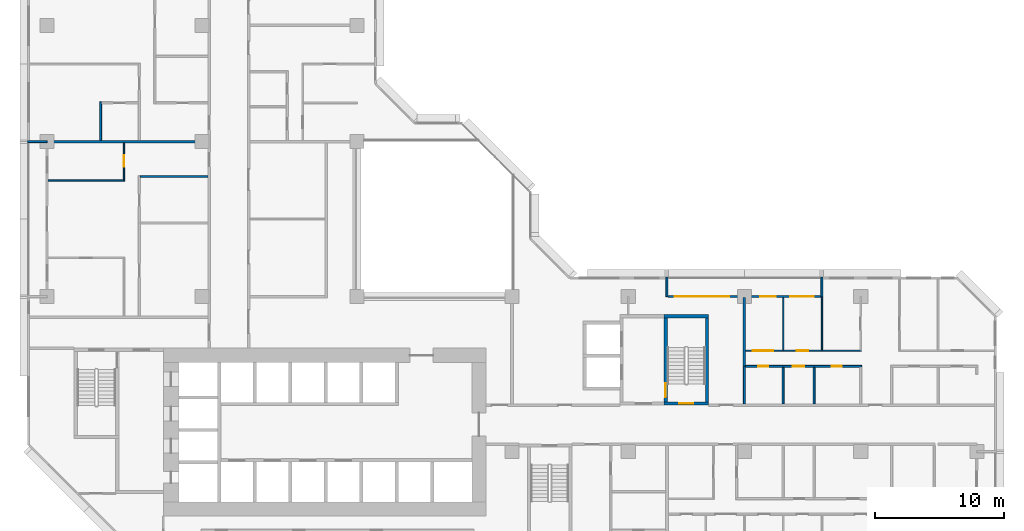
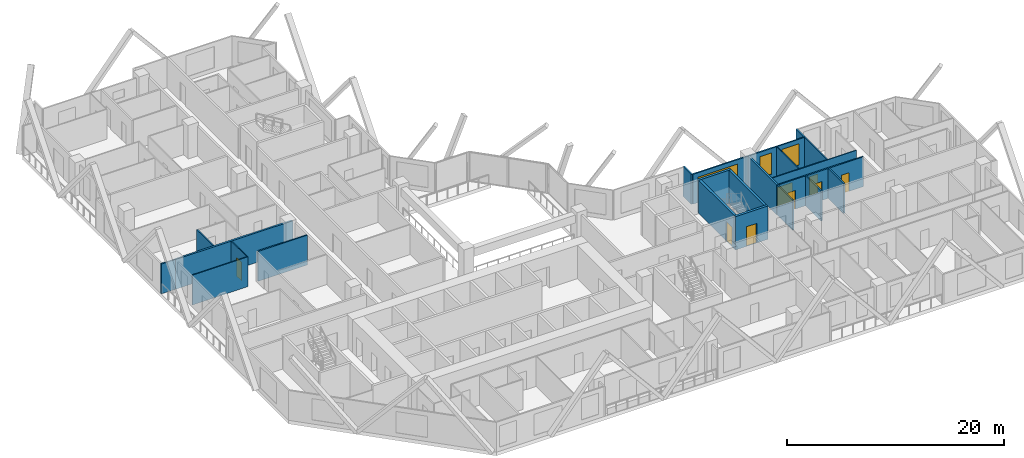
# One storey, part 8 of 16: 21 walls, 8 doors, 3 windows, 11 openings.
"""IFC4 building model written with IfcOpenShell, lengths in metres."""

import ifcopenshell
import ifcopenshell.guid

model = None  # the IFC model being written
_history = None  # IfcOwnerHistory: only IFC2X3 demands one
_inside = {}  # id of a spatial element -> (the spatial element, [elements in it])
_under = {}  # id of a project, library or spatial element -> (it, [spatial elements below it])
_declared = {}  # id of a project -> (the project, [libraries it declares])
_typed = {}  # id of a type object -> (the type object, [elements of that type])
_made_of = {}  # id of a material, layer set ... -> (it, [elements and type objects made of it])


def new_model(schema):
    """Start an empty IFC model of exactly this schema.

    Asked for "IFC4X3", IfcOpenShell would pick the latest addendum, in which some entities
    have other attributes; the version numbers below select the first issue.
    IFC2X3 requires an IfcOwnerHistory on every rooted entity: one is made here for all.
    """
    global model, _history
    if schema == "IFC4X3":
        model = ifcopenshell.file(schema_version=(4, 3, 0, 0))
    else:
        model = ifcopenshell.file(schema=schema)
    _inside.clear()
    _under.clear()
    _declared.clear()
    _typed.clear()
    _made_of.clear()
    _history = None
    if model.schema == "IFC2X3":
        org = make("IfcOrganization", Name="unknown")
        user = make(
            "IfcPersonAndOrganization",
            ThePerson=make("IfcPerson", FamilyName="unknown"),
            TheOrganization=org,
        )
        app = make(
            "IfcApplication",
            ApplicationDeveloper=org,
            Version="unknown",
            ApplicationFullName="unknown",
            ApplicationIdentifier="unknown",
        )
        _history = make(
            "IfcOwnerHistory",
            OwningUser=user,
            OwningApplication=app,
            ChangeAction="ADDED",
            CreationDate=0,
        )
    return model


def make(cls, **values):
    """One entity of the class cls with the attributes given. An attribute that is None is left unset."""
    return model.create_entity(
        cls, **{name: value for name, value in values.items() if value is not None}
    )


def rooted(cls, **values):
    """An entity with a GlobalId (a new one), such as an element, a storey or a relation."""
    return make(cls, GlobalId=ifcopenshell.guid.new(), OwnerHistory=_history, **values)


def si_unit(unit_type, name, prefix=None):
    """IfcSIUnit, for example si_unit("LENGTHUNIT", "METRE", prefix="MILLI")."""
    return make("IfcSIUnit", UnitType=unit_type, Prefix=prefix, Name=name)


def assignment(units):
    """IfcUnitAssignment: the units of a project."""
    return None if units is None else make("IfcUnitAssignment", Units=units)


def point(xyz):
    """IfcCartesianPoint."""
    return None if xyz is None else make("IfcCartesianPoint", Coordinates=xyz)


def direction(xyz):
    """IfcDirection."""
    return None if xyz is None else make("IfcDirection", DirectionRatios=xyz)


def frame(location, z_axis=None, x_axis=None):
    """IfcAxis2Placement3D, a coordinate frame: its origin and axes. An axis left out is left unset."""
    return make(
        "IfcAxis2Placement3D",
        Location=point(location),
        Axis=direction(z_axis),
        RefDirection=direction(x_axis),
    )


def frame_2d(location, x_axis=None):
    """IfcAxis2Placement2D, a coordinate frame in the plane: its origin and x axis."""
    return make(
        "IfcAxis2Placement2D", Location=point(location), RefDirection=direction(x_axis)
    )


def origin():
    """The frame at (0, 0, 0) with its axes left unset."""
    return frame((0.0, 0.0, 0.0))


def place(relative_to, where):
    """IfcLocalPlacement: puts the frame where relative to a parent placement (None: the world)."""
    return make(
        "IfcLocalPlacement", PlacementRelTo=relative_to, RelativePlacement=where
    )


def context(
    kind, dimensions, precision=None, world=None, true_north=None, identifier=None
):
    """IfcGeometricRepresentationContext, for example the 3D "Model" context."""
    return make(
        "IfcGeometricRepresentationContext",
        ContextIdentifier=identifier,
        ContextType=kind,
        CoordinateSpaceDimension=dimensions,
        Precision=precision,
        WorldCoordinateSystem=world,
        TrueNorth=true_north,
    )


def subcontext(parent, identifier, kind, view, scale=None):
    """IfcGeometricRepresentationSubContext, for example "Body" below "Model"."""
    return make(
        "IfcGeometricRepresentationSubContext",
        ContextIdentifier=identifier,
        ContextType=kind,
        ParentContext=parent,
        TargetScale=scale,
        TargetView=view,
    )


def project(units=None, contexts=None):
    """IfcProject with its units and contexts."""
    return rooted(
        "IfcProject",
        Name="project",
        RepresentationContexts=contexts,
        UnitsInContext=assignment(units),
    )


def spatial(cls, under=None, at=None, **own):
    """A site, building, storey or space (cls), placed at a placement, below another one or the project."""
    s = rooted(cls, ObjectPlacement=at, **own)
    if under is not None:
        _under.setdefault(under.id(), (under, []))[1].append(s)
    return s


def profile(cls, at=None, kind="AREA", **sizes):
    """A parametric profile (cls). Its sizes go by their IFC names, for example OverallWidth=200.0."""
    return make(cls, ProfileType=kind, Position=at, **sizes)


def rectangle(**sizes):
    """IfcRectangleProfileDef."""
    return profile("IfcRectangleProfileDef", **sizes)


def extrude(swept, where, along, depth):
    """IfcExtrudedAreaSolid: the profile swept, set in the frame where, extruded along a direction by depth."""
    return make(
        "IfcExtrudedAreaSolid",
        SweptArea=swept,
        Position=where,
        ExtrudedDirection=direction(along),
        Depth=depth,
    )


def shape(context_of_items, identifier, shape_type, items):
    """IfcShapeRepresentation: the items that make up one representation, for example the "Body"."""
    return make(
        "IfcShapeRepresentation",
        ContextOfItems=context_of_items,
        RepresentationIdentifier=identifier,
        RepresentationType=shape_type,
        Items=items,
    )


def material(Name=None, Category=None):
    """IfcMaterial."""
    return make("IfcMaterial", Name=Name, Category=Category)


def layer(
    of_material, thickness, ventilated=None, Name=None, Category=None, Priority=None
):
    """IfcMaterialLayer: one layer of a wall or slab, of a material (None: an air gap)."""
    return make(
        "IfcMaterialLayer",
        Material=of_material,
        LayerThickness=thickness,
        IsVentilated=ventilated,
        Name=Name,
        Category=Category,
        Priority=Priority,
    )


def layer_set(layers, Name=None):
    """IfcMaterialLayerSet."""
    return make("IfcMaterialLayerSet", MaterialLayers=layers, LayerSetName=Name)


def made_of(thing, what):
    """Note that an element or type object is made of a material, layer set ...; save() writes the relation."""
    if what is not None:
        _made_of.setdefault(what.id(), (what, []))[1].append(thing)
    return thing


def type_object(cls, material=None, **own):
    """A type object (cls), such as IfcWallType, which elements share."""
    return made_of(rooted(cls, **own), material)


def element(
    cls,
    number,
    at=None,
    inside=None,
    cuts=None,
    type_object=None,
    material=None,
    context=None,
    identifier="Body",
    shape_type=None,
    held_by="IfcProductDefinitionShape",
    body=None,
    shapes=None,
    **own,
):
    """One element of the class cls, such as IfcWall. Its Tag is "e" and its number.

    at: its placement. inside: the storey or other place that contains it. cuts: it is an
    opening in that element (IfcRelVoidsElement). A single representation is given by context,
    identifier, shape_type and body (its items); several are given by shapes. held_by: the class
    of the entity that holds the representations. save() writes the other relations.
    """
    e = rooted(cls, Tag="e%d" % number, ObjectPlacement=at, **own)
    if body is not None:
        shapes = [shape(context, identifier, shape_type, body)]
    if shapes is not None:
        e.Representation = make(held_by, Representations=shapes)
    if inside is not None:
        _inside.setdefault(inside.id(), (inside, []))[1].append(e)
    if cuts is not None:
        rooted(
            "IfcRelVoidsElement", RelatingBuildingElement=cuts, RelatedOpeningElement=e
        )
    if type_object is not None:
        _typed.setdefault(type_object.id(), (type_object, []))[1].append(e)
    return made_of(e, material)


def fill(opening, filler):
    """IfcRelFillsElement: the door or window that sits in an opening."""
    return rooted(
        "IfcRelFillsElement",
        RelatingOpeningElement=opening,
        RelatedBuildingElement=filler,
    )


def aggregate(whole, parts):
    """IfcRelAggregates: a whole, such as a stair, and the parts it consists of."""
    return rooted("IfcRelAggregates", RelatingObject=whole, RelatedObjects=parts)


def save(model, path):
    """Write the relations noted so far, then the file.

    IfcRelAggregates (storeys below a building ...), IfcRelContainedInSpatialStructure (elements
    in a storey), IfcRelDefinesByType, IfcRelAssociatesMaterial and IfcRelDeclares: one each for
    every whole, place, type object, material and project.
    """
    for whole, parts in _under.values():
        aggregate(whole, parts)
    for where, things in _inside.values():
        rooted(
            "IfcRelContainedInSpatialStructure",
            RelatedElements=things,
            RelatingStructure=where,
        )
    for kind, things in _typed.values():
        rooted("IfcRelDefinesByType", RelatedObjects=things, RelatingType=kind)
    for what, things in _made_of.values():
        rooted("IfcRelAssociatesMaterial", RelatedObjects=things, RelatingMaterial=what)
    for by, libraries in _declared.values():
        rooted("IfcRelDeclares", RelatingContext=by, RelatedDefinitions=libraries)
    model.write(path)


model = new_model("IFC4")

# Units and contexts
model_context = context("Model", 3, precision=1e-05, world=origin(), true_north=direction((0.0, 1.0)))
body_context = subcontext(model_context, "Body", "Model", "MODEL_VIEW")
ifc_project = project(units=[si_unit("LENGTHUNIT", "METRE"), si_unit("AREAUNIT", "SQUARE_METRE"), si_unit("VOLUMEUNIT", "CUBIC_METRE"), si_unit("PLANEANGLEUNIT", "RADIAN"), si_unit("MASSUNIT", "GRAM", prefix="KILO")], contexts=[model_context])

# Site, building, storey
site_placement = place(None, origin())
site = spatial("IfcSite", under=ifc_project, at=site_placement, CompositionType="ELEMENT")
building_placement = place(site_placement, origin())
building = spatial("IfcBuilding", under=site, at=building_placement, Name="Chenar Terraces", CompositionType="ELEMENT")
storey_placement = place(building_placement, frame((0.0, 0.0, 78.89990234375)))
storey = spatial("IfcBuildingStorey", under=building, at=storey_placement, Name="L17", CompositionType="ELEMENT", Elevation=78.89990234375)

# Wall, opening, door
ifc_material_1 = material(Name="Concrete C70/85", Category="concrete")
ifc_layer_1 = layer(ifc_material_1, 0.25)
ifc_layer_set_1 = layer_set([ifc_layer_1], Name="Concrete C70/85")
wall_type_1 = type_object("IfcWallType", Name="Core wall 250 Concrete C70/85", PredefinedType="SHEAR", material=ifc_layer_set_1)
wall_1_placement = place(storey_placement, frame((47.77490234375, 15.72509765625, 0.0), z_axis=(0.0, 0.0, 1.0), x_axis=(1.0, 0.0, 0.0)))
wall_1 = element("IfcWall", 1, at=wall_1_placement, inside=storey, type_object=wall_type_1, Name="Core wall ST3_S L17", PredefinedType="SHEAR", context=body_context, shape_type="SweptSolid", body=[
    extrude(rectangle(XDim=3.4501953125, YDim=0.25, at=frame_2d((1.72509765625, 0.0))), origin(), (0.0, 0.0, 1.0), 3.75),
])
opening_1_placement = place(wall_1_placement, frame((1.175048828125, 0.0, 0.0)))
opening_1 = element("IfcOpeningElement", 2, at=opening_1_placement, cuts=wall_1, Name="Opening DL17-C8", PredefinedType="OPENING", context=body_context, shape_type="SweptSolid", body=[
    extrude(rectangle(XDim=1.10009765625, YDim=2.199951171875, at=frame_2d((0.550048828125, 1.10009765625))), frame((0.0, 0.135009765625, 0.0), z_axis=(0.0, -1.0, 0.0), x_axis=(1.0, 0.0, 0.0)), (0.0, 0.0, 1.0), 0.27001953125),
])
ifc_material_2 = material(Name="Steel-framed fire-resisting door leaf", Category="steel")
door_type_1 = type_object("IfcDoorType", Name="Stair fire door FD60 1100 x 2200", OperationType="SINGLE_SWING_LEFT", PredefinedType="DOOR", material=ifc_material_2)
door_1_placement = place(opening_1_placement, frame((1.10009765625, 0.0, 0.0), z_axis=(0.0, 0.0, 1.0), x_axis=(-1.0, 0.0, 0.0)))
door_1 = element("IfcDoor", 3, at=door_1_placement, inside=storey, type_object=door_type_1, Name="Stair door DL17-C8", OperationType="SINGLE_SWING_LEFT", OverallHeight=2.199951171875, OverallWidth=1.10009765625, PredefinedType="DOOR", context=body_context, shape_type="SweptSolid", body=[
    extrude(rectangle(XDim=1.10009765625, YDim=2.199951171875, at=frame_2d((0.550048828125, 1.10009765625))), frame((0.0, 0.02490234375, 0.0), z_axis=(0.0, -1.0, 0.0), x_axis=(1.0, 0.0, 0.0)), (0.0, 0.0, 1.0), 0.050048828125),
])
fill(opening_1, door_1)

# Wall
wall_2_placement = place(storey_placement, frame((47.77490234375, 22.47509765625, 0.0), z_axis=(0.0, 0.0, 1.0), x_axis=(1.0, 0.0, 0.0)))
element("IfcWall", 4, at=wall_2_placement, inside=storey, type_object=wall_type_1, Name="Core wall ST3_N L17", PredefinedType="SHEAR", context=body_context, shape_type="SweptSolid", body=[
    extrude(rectangle(XDim=3.4501953125, YDim=0.25, at=frame_2d((1.72509765625, 0.0))), origin(), (0.0, 0.0, 1.0), 3.75),
])

# Wall, opening, door
wall_3_placement = place(storey_placement, frame((47.89990234375, 15.85009765625, 0.0), z_axis=(0.0, 0.0, 1.0), x_axis=(0.0, 1.0, 0.0)))
wall_3 = element("IfcWall", 5, at=wall_3_placement, inside=storey, type_object=wall_type_1, Name="Core wall ST3_W L17", PredefinedType="SHEAR", context=body_context, shape_type="SweptSolid", body=[
    extrude(rectangle(XDim=6.5, YDim=0.25, at=frame_2d((3.25, 0.0))), origin(), (0.0, 0.0, 1.0), 3.75),
])
opening_2_placement = place(wall_3_placement, frame((0.35009765625, 0.0, 0.0)))
opening_2 = element("IfcOpeningElement", 6, at=opening_2_placement, cuts=wall_3, Name="Opening DL17-C11", PredefinedType="OPENING", context=body_context, shape_type="SweptSolid", body=[
    extrude(rectangle(XDim=1.10009765625, YDim=2.199951171875, at=frame_2d((0.550048828125, 1.10009765625))), frame((0.0, 0.135009765625, 0.0), z_axis=(0.0, -1.0, 0.0), x_axis=(1.0, 0.0, 0.0)), (0.0, 0.0, 1.0), 0.27001953125),
])
door_2_placement = place(opening_2_placement, frame((1.10009765625, 0.0, 0.0), z_axis=(0.0, 0.0, 1.0), x_axis=(-1.0, 0.0, 0.0)))
door_2 = element("IfcDoor", 7, at=door_2_placement, inside=storey, type_object=door_type_1, Name="Stair door DL17-C11", OperationType="SINGLE_SWING_RIGHT", OverallHeight=2.199951171875, OverallWidth=1.10009765625, PredefinedType="DOOR", context=body_context, shape_type="SweptSolid", body=[
    extrude(rectangle(XDim=1.10009765625, YDim=2.199951171875, at=frame_2d((0.550048828125, 1.10009765625))), frame((0.0, 0.02490234375, 0.0), z_axis=(0.0, -1.0, 0.0), x_axis=(1.0, 0.0, 0.0)), (0.0, 0.0, 1.0), 0.050048828125),
])
fill(opening_2, door_2)

# Wall
wall_4_placement = place(storey_placement, frame((51.10009765625, 15.85009765625, 0.0), z_axis=(0.0, 0.0, 1.0), x_axis=(0.0, 1.0, 0.0)))
element("IfcWall", 8, at=wall_4_placement, inside=storey, type_object=wall_type_1, Name="Core wall ST3_E L17", PredefinedType="SHEAR", context=body_context, shape_type="SweptSolid", body=[
    extrude(rectangle(XDim=6.5, YDim=0.25, at=frame_2d((3.25, 0.0))), origin(), (0.0, 0.0, 1.0), 3.75),
])

# Wall, openings, windows
ifc_material_3 = material(Name="Aluminium framed glazing", Category="aluminium")
ifc_layer_2 = layer(ifc_material_3, 0.14990234375)
ifc_layer_set_2 = layer_set([ifc_layer_2], Name="Aluminium framed glazing")
wall_type_2 = type_object("IfcWallType", Name="Glazed loggia back wall 150", PredefinedType="SOLIDWALL", material=ifc_layer_set_2)
wall_5_placement = place(storey_placement, frame((59.925048828125, 24.0, 0.0), z_axis=(0.0, 0.0, 1.0), x_axis=(-1.0, 0.0, 0.0)))
wall_5 = element("IfcWall", 9, at=wall_5_placement, inside=storey, type_object=wall_type_2, Name="Glazed loggia back wall", PredefinedType="SOLIDWALL", context=body_context, shape_type="SweptSolid", body=[
    extrude(rectangle(XDim=11.85009765625, YDim=0.14990234375, at=frame_2d((5.925048828125, 0.0))), origin(), (0.0, 0.0, 1.0), 3.35009765625),
])
opening_3_placement = place(wall_5_placement, frame((0.5625, 0.0, 0.449951171875)))
opening_3 = element("IfcOpeningElement", 10, at=opening_3_placement, cuts=wall_5, Name="Opening W180x240", PredefinedType="OPENING", context=body_context, shape_type="SweptSolid", body=[
    extrude(rectangle(XDim=1.800048828125, YDim=2.39990234375, at=frame_2d((0.89990234375, 1.199951171875))), frame((0.0, 0.0849609375, 0.0), z_axis=(0.0, -1.0, 0.0), x_axis=(1.0, 0.0, 0.0)), (0.0, 0.0, 1.0), 0.169921875),
])
opening_4_placement = place(wall_5_placement, frame((3.5, 0.0, 0.449951171875)))
opening_4 = element("IfcOpeningElement", 11, at=opening_4_placement, cuts=wall_5, Name="Opening W120x240", PredefinedType="OPENING", context=body_context, shape_type="SweptSolid", body=[
    extrude(rectangle(XDim=1.199951171875, YDim=2.39990234375, at=frame_2d((0.60009765625, 1.199951171875))), frame((0.0, 0.0849609375, 0.0), z_axis=(0.0, -1.0, 0.0), x_axis=(1.0, 0.0, 0.0)), (0.0, 0.0, 1.0), 0.169921875),
])
opening_5_placement = place(wall_5_placement, frame((7.112548828125, 0.0, 0.449951171875)))
opening_5 = element("IfcOpeningElement", 12, at=opening_5_placement, cuts=wall_5, Name="Opening W420x240", PredefinedType="OPENING", context=body_context, shape_type="SweptSolid", body=[
    extrude(rectangle(XDim=4.199951171875, YDim=2.39990234375, at=frame_2d((2.10009765625, 1.199951171875))), frame((0.0, 0.0849609375, 0.0), z_axis=(0.0, -1.0, 0.0), x_axis=(1.0, 0.0, 0.0)), (0.0, 0.0, 1.0), 0.169921875),
])
ifc_material_4 = material(Name="Low emissivity double glazing, aluminium frame", Category="aluminium")
window_type_1 = type_object("IfcWindowType", Name="Fixed light 1200 x 2400", PartitioningType="SINGLE_PANEL", PredefinedType="WINDOW", material=ifc_material_4)
window_1_placement = place(opening_4_placement, origin())
window_1 = element("IfcWindow", 13, at=window_1_placement, inside=storey, type_object=window_type_1, Name="Window", OverallHeight=2.39990234375, OverallWidth=1.199951171875, PartitioningType="SINGLE_PANEL", PredefinedType="WINDOW", context=body_context, shape_type="SweptSolid", body=[
    extrude(rectangle(XDim=1.199951171875, YDim=2.39990234375, at=frame_2d((0.60009765625, 1.199951171875))), frame((0.0, 0.030029296875, 0.0), z_axis=(0.0, -1.0, 0.0), x_axis=(1.0, 0.0, 0.0)), (0.0, 0.0, 1.0), 0.06005859375),
])
fill(opening_4, window_1)
ifc_material_5 = material(Name="Low emissivity double glazing, aluminium frame", Category="aluminium")
window_type_2 = type_object("IfcWindowType", Name="Fixed light 1800 x 2400", PartitioningType="SINGLE_PANEL", PredefinedType="WINDOW", material=ifc_material_5)
window_2_placement = place(opening_3_placement, origin())
window_2 = element("IfcWindow", 14, at=window_2_placement, inside=storey, type_object=window_type_2, Name="Window", OverallHeight=2.39990234375, OverallWidth=1.800048828125, PartitioningType="SINGLE_PANEL", PredefinedType="WINDOW", context=body_context, shape_type="SweptSolid", body=[
    extrude(rectangle(XDim=1.800048828125, YDim=2.39990234375, at=frame_2d((0.89990234375, 1.199951171875))), frame((0.0, 0.030029296875, 0.0), z_axis=(0.0, -1.0, 0.0), x_axis=(1.0, 0.0, 0.0)), (0.0, 0.0, 1.0), 0.06005859375),
])
fill(opening_3, window_2)
ifc_material_6 = material(Name="Low emissivity double glazing, aluminium frame", Category="aluminium")
window_type_3 = type_object("IfcWindowType", Name="Fixed light 4200 x 2400", PartitioningType="SINGLE_PANEL", PredefinedType="WINDOW", material=ifc_material_6)
window_3_placement = place(opening_5_placement, origin())
window_3 = element("IfcWindow", 15, at=window_3_placement, inside=storey, type_object=window_type_3, Name="Window", OverallHeight=2.39990234375, OverallWidth=4.199951171875, PartitioningType="SINGLE_PANEL", PredefinedType="WINDOW", context=body_context, shape_type="SweptSolid", body=[
    extrude(rectangle(XDim=4.199951171875, YDim=2.39990234375, at=frame_2d((2.10009765625, 1.199951171875))), frame((0.0, 0.030029296875, 0.0), z_axis=(0.0, -1.0, 0.0), x_axis=(1.0, 0.0, 0.0)), (0.0, 0.0, 1.0), 0.06005859375),
])
fill(opening_5, window_3)

# Wall
ifc_material_7 = material(Name="Gypsum board on steel studs", Category="steel")
ifc_layer_3 = layer(ifc_material_7, 0.10009765625)
ifc_layer_set_3 = layer_set([ifc_layer_3], Name="Gypsum board on steel studs")
wall_type_3 = type_object("IfcWallType", Name="Gypsum partition 100", PredefinedType="PARTITIONING", material=ifc_layer_set_3)
wall_6_placement = place(storey_placement, frame((0.073974609375, 33.0, 0.0), z_axis=(0.0, 0.0, 1.0), x_axis=(1.0, 0.0, 0.0)))
element("IfcWall", 16, at=wall_6_placement, inside=storey, type_object=wall_type_3, Name="Partition L17-007", PredefinedType="PARTITIONING", context=body_context, shape_type="SweptSolid", body=[
    extrude(rectangle(XDim=5.926025390625, YDim=0.10009765625, at=frame_2d((2.962890625, 0.0))), origin(), (0.0, 0.0, 1.0), 3.35009765625),
])

# Wall, opening, door
wall_7_placement = place(storey_placement, frame((5.949951171875, 33.050048828125, 0.0), z_axis=(0.0, 0.0, 1.0), x_axis=(0.0, 1.0, 0.0)))
wall_7 = element("IfcWall", 17, at=wall_7_placement, inside=storey, type_object=wall_type_3, Name="Partition L17-015", PredefinedType="PARTITIONING", context=body_context, shape_type="SweptSolid", body=[
    extrude(rectangle(XDim=2.849853515625, YDim=0.10009765625, at=frame_2d((1.4248046875, 0.0))), origin(), (0.0, 0.0, 1.0), 3.35009765625),
])
opening_6_placement = place(wall_7_placement, frame((1.0, 0.0, 0.0)))
opening_6 = element("IfcOpeningElement", 18, at=opening_6_placement, cuts=wall_7, Name="Opening DL17-72", PredefinedType="OPENING", context=body_context, shape_type="SweptSolid", body=[
    extrude(rectangle(XDim=0.89990234375, YDim=2.10009765625, at=frame_2d((0.449951171875, 1.050048828125))), frame((0.0, 0.06005859375, 0.0), z_axis=(0.0, -1.0, 0.0), x_axis=(1.0, 0.0, 0.0)), (0.0, 0.0, 1.0), 0.1201171875),
])
ifc_material_8 = material(Name="Veneered timber door leaf", Category="wood")
door_type_2 = type_object("IfcDoorType", Name="Door 900 x 2100", OperationType="SINGLE_SWING_LEFT", PredefinedType="DOOR", material=ifc_material_8)
door_3_placement = place(opening_6_placement, origin())
door_3 = element("IfcDoor", 19, at=door_3_placement, inside=storey, type_object=door_type_2, Name="Door DL17-72", OperationType="SINGLE_SWING_RIGHT", OverallHeight=2.10009765625, OverallWidth=0.89990234375, PredefinedType="DOOR", context=body_context, shape_type="SweptSolid", body=[
    extrude(rectangle(XDim=0.89990234375, YDim=2.10009765625, at=frame_2d((0.449951171875, 1.050048828125))), frame((0.0, 0.02490234375, 0.0), z_axis=(0.0, -1.0, 0.0), x_axis=(1.0, 0.0, 0.0)), (0.0, 0.0, 1.0), 0.050048828125),
])
fill(opening_6, door_3)

# Wall, openings, doors
wall_8_placement = place(storey_placement, frame((54.10009765625, 19.800048828125, 0.0), z_axis=(0.0, 0.0, 1.0), x_axis=(1.0, 0.0, 0.0)))
wall_8 = element("IfcWall", 20, at=wall_8_placement, inside=storey, type_object=wall_type_3, Name="Partition L17-084", PredefinedType="PARTITIONING", context=body_context, shape_type="SweptSolid", body=[
    extrude(rectangle(XDim=8.949951171875, YDim=0.10009765625, at=frame_2d((4.47509765625, 0.0))), origin(), (0.0, 0.0, 1.0), 3.35009765625),
])
opening_7_placement = place(wall_8_placement, frame((0.550048828125, 0.0, 0.0)))
opening_7 = element("IfcOpeningElement", 21, at=opening_7_placement, cuts=wall_8, Name="Opening DL17-12", PredefinedType="OPENING", context=body_context, shape_type="SweptSolid", body=[
    extrude(rectangle(XDim=1.60009765625, YDim=2.10009765625, at=frame_2d((0.800048828125, 1.050048828125))), frame((0.0, 0.06005859375, 0.0), z_axis=(0.0, -1.0, 0.0), x_axis=(1.0, 0.0, 0.0)), (0.0, 0.0, 1.0), 0.1201171875),
])
opening_8_placement = place(wall_8_placement, frame((3.949951171875, 0.0, 0.0)))
opening_8 = element("IfcOpeningElement", 22, at=opening_8_placement, cuts=wall_8, Name="Opening DL17-13", PredefinedType="OPENING", context=body_context, shape_type="SweptSolid", body=[
    extrude(rectangle(XDim=0.89990234375, YDim=2.10009765625, at=frame_2d((0.449951171875, 1.050048828125))), frame((0.0, 0.06005859375, 0.0), z_axis=(0.0, -1.0, 0.0), x_axis=(1.0, 0.0, 0.0)), (0.0, 0.0, 1.0), 0.1201171875),
])
door_4_placement = place(opening_8_placement, origin())
door_4 = element("IfcDoor", 23, at=door_4_placement, inside=storey, type_object=door_type_2, Name="Door DL17-13", OperationType="SINGLE_SWING_RIGHT", OverallHeight=2.10009765625, OverallWidth=0.89990234375, PredefinedType="DOOR", context=body_context, shape_type="SweptSolid", body=[
    extrude(rectangle(XDim=0.89990234375, YDim=2.10009765625, at=frame_2d((0.449951171875, 1.050048828125))), frame((0.0, 0.02490234375, 0.0), z_axis=(0.0, -1.0, 0.0), x_axis=(1.0, 0.0, 0.0)), (0.0, 0.0, 1.0), 0.050048828125),
])
fill(opening_8, door_4)
ifc_material_9 = material(Name="Veneered timber door leaf", Category="wood")
door_type_3 = type_object("IfcDoorType", Name="Double door 1600 x 2100", OperationType="DOUBLE_DOOR_SINGLE_SWING", PredefinedType="DOOR", material=ifc_material_9)
door_5_placement = place(opening_7_placement, origin())
door_5 = element("IfcDoor", 24, at=door_5_placement, inside=storey, type_object=door_type_3, Name="Door DL17-12", OperationType="DOUBLE_DOOR_SINGLE_SWING", OverallHeight=2.10009765625, OverallWidth=1.60009765625, PredefinedType="DOOR", context=body_context, shape_type="SweptSolid", body=[
    extrude(rectangle(XDim=1.60009765625, YDim=2.10009765625, at=frame_2d((0.800048828125, 1.050048828125))), frame((0.0, 0.02490234375, 0.0), z_axis=(0.0, -1.0, 0.0), x_axis=(1.0, 0.0, 0.0)), (0.0, 0.0, 1.0), 0.050048828125),
])
fill(opening_7, door_5)

# Walls
wall_9_placement = place(storey_placement, frame((57.0, 19.85009765625, 0.0), z_axis=(0.0, 0.0, 1.0), x_axis=(0.0, 1.0, 0.0)))
element("IfcWall", 25, at=wall_9_placement, inside=storey, type_object=wall_type_3, Name="Partition L17-088", PredefinedType="PARTITIONING", context=body_context, shape_type="SweptSolid", body=[
    extrude(rectangle(XDim=4.075927734375, YDim=0.10009765625, at=frame_2d((2.0380859375, 0.0))), origin(), (0.0, 0.0, 1.0), 3.35009765625),
])
wall_10_placement = place(storey_placement, frame((60.0, 19.85009765625, 0.0), z_axis=(0.0, 0.0, 1.0), x_axis=(0.0, 1.0, 0.0)))
element("IfcWall", 26, at=wall_10_placement, inside=storey, type_object=wall_type_3, Name="Partition L17-092", PredefinedType="PARTITIONING", context=body_context, shape_type="SweptSolid", body=[
    extrude(rectangle(XDim=4.14990234375, YDim=0.10009765625, at=frame_2d((2.074951171875, 0.0))), origin(), (0.0, 0.0, 1.0), 3.35009765625),
])
ifc_material_10 = material(Name="Terracotta cladding on insulated backing", Category="masonry")
ifc_layer_4 = layer(ifc_material_10, 0.14990234375)
ifc_layer_set_4 = layer_set([ifc_layer_4], Name="Terracotta cladding on insulated backing")
wall_type_4 = type_object("IfcWallType", Name="Loggia return wall 150", PredefinedType="SOLIDWALL", material=ifc_layer_set_4)
for number, where, z_axis, x_axis, name in (
    (27, (60.0, 25.5, 0.0), (0.0, 0.0, 1.0), (0.0, -1.0, 0.0), "Loggia return wall"),
    (28, (48.0, 25.5, 0.0), (0.0, 0.0, 1.0), (0.0, -1.0, 0.0), "Loggia return wall"),
    (29, (-1.5, 36.0, 0.0), (0.0, 0.0, 1.0), (1.0, 0.0, 0.0), "Loggia return wall"),
):
    element("IfcWall", number, at=place(storey_placement, frame(where, z_axis=z_axis, x_axis=x_axis)), inside=storey, type_object=wall_type_4, Name=name, PredefinedType="SOLIDWALL", context=body_context, shape_type="SweptSolid", body=[
        extrude(rectangle(XDim=1.5, YDim=0.14990234375, at=frame_2d((0.75, 0.0))), origin(), (0.0, 0.0, 1.0), 3.35009765625),
    ])
ifc_material_11 = material(Name="Twin gypsum board on steel studs with mineral wool", Category="steel")
ifc_layer_5 = layer(ifc_material_11, 0.199951171875)
ifc_layer_set_5 = layer_set([ifc_layer_5], Name="Twin gypsum board on steel studs with mineral wool")
wall_type_5 = type_object("IfcWallType", Name="Unit demising wall 200", PredefinedType="PARTITIONING", material=ifc_layer_set_5)
wall_11_placement = place(storey_placement, frame((0.0, 36.0, 0.0), z_axis=(0.0, 0.0, 1.0), x_axis=(1.0, 0.0, 0.0)))
element("IfcWall", 30, at=wall_11_placement, inside=storey, type_object=wall_type_5, Name="Partition L17-003", PredefinedType="PARTITIONING", context=body_context, shape_type="SweptSolid", body=[
    extrude(rectangle(XDim=12.449951171875, YDim=0.199951171875, at=frame_2d((6.22509765625, 0.0))), origin(), (0.0, 0.0, 1.0), 3.35009765625),
])
wall_12_placement = place(storey_placement, frame((54.0, 18.60009765625, 0.0), z_axis=(0.0, 0.0, 1.0), x_axis=(0.0, 1.0, 0.0)))
element("IfcWall", 31, at=wall_12_placement, inside=storey, type_object=wall_type_5, Name="Partition L17-082", PredefinedType="PARTITIONING", context=body_context, shape_type="SweptSolid", body=[
    extrude(rectangle(XDim=5.325927734375, YDim=0.199951171875, at=frame_2d((2.6630859375, 0.0))), origin(), (0.0, 0.0, 1.0), 3.35009765625),
])
ifc_material_12 = material(Name="Moisture-resistant gypsum board on steel studs", Category="steel")
ifc_layer_6 = layer(ifc_material_12, 0.14990234375)
ifc_layer_set_6 = layer_set([ifc_layer_6], Name="Moisture-resistant gypsum board on steel studs")
wall_type_6 = type_object("IfcWallType", Name="Wet-room partition 150", PredefinedType="PARTITIONING", material=ifc_layer_set_6)
wall_13_placement = place(storey_placement, frame((4.14990234375, 36.10009765625, 0.0), z_axis=(0.0, 0.0, 1.0), x_axis=(0.0, 1.0, 0.0)))
element("IfcWall", 32, at=wall_13_placement, inside=storey, type_object=wall_type_6, Name="Partition L17-012", PredefinedType="PARTITIONING", context=body_context, shape_type="SweptSolid", body=[
    extrude(rectangle(XDim=2.974853515625, YDim=0.14990234375, at=frame_2d((1.4873046875, 0.0))), origin(), (0.0, 0.0, 1.0), 3.35009765625),
])
wall_14_placement = place(storey_placement, frame((7.22509765625, 33.300048828125, 0.0), z_axis=(0.0, 0.0, 1.0), x_axis=(1.0, 0.0, 0.0)))
element("IfcWall", 33, at=wall_14_placement, inside=storey, type_object=wall_type_6, Name="Partition L17-021", PredefinedType="PARTITIONING", context=body_context, shape_type="SweptSolid", body=[
    extrude(rectangle(XDim=5.224853515625, YDim=0.14990234375, at=frame_2d((2.6123046875, 0.0))), origin(), (0.0, 0.0, 1.0), 3.35009765625),
])
wall_15_placement = place(storey_placement, frame((54.0, 15.699951171875, 0.0), z_axis=(0.0, 0.0, 1.0), x_axis=(0.0, 1.0, 0.0)))
element("IfcWall", 34, at=wall_15_placement, inside=storey, type_object=wall_type_6, Name="Partition L17-081", PredefinedType="PARTITIONING", context=body_context, shape_type="SweptSolid", body=[
    extrude(rectangle(XDim=2.900146484375, YDim=0.14990234375, at=frame_2d((1.4501953125, 0.0))), origin(), (0.0, 0.0, 1.0), 3.35009765625),
])

# Wall, openings, doors
wall_16_placement = place(storey_placement, frame((54.10009765625, 18.60009765625, 0.0), z_axis=(0.0, 0.0, 1.0), x_axis=(1.0, 0.0, 0.0)))
wall_16 = element("IfcWall", 35, at=wall_16_placement, inside=storey, type_object=wall_type_6, Name="Partition L17-083", PredefinedType="PARTITIONING", context=body_context, shape_type="SweptSolid", body=[
    extrude(rectangle(XDim=8.974853515625, YDim=0.14990234375, at=frame_2d((4.4873046875, 0.0))), origin(), (0.0, 0.0, 1.0), 3.35009765625),
])
opening_9_placement = place(wall_16_placement, frame((6.64990234375, 0.0, 0.0)))
opening_9 = element("IfcOpeningElement", 36, at=opening_9_placement, cuts=wall_16, Name="Opening DL17-4", PredefinedType="OPENING", context=body_context, shape_type="SweptSolid", body=[
    extrude(rectangle(XDim=0.800048828125, YDim=2.10009765625, at=frame_2d((0.39990234375, 1.050048828125))), frame((0.0, 0.0849609375, 0.0), z_axis=(0.0, -1.0, 0.0), x_axis=(1.0, 0.0, 0.0)), (0.0, 0.0, 1.0), 0.169921875),
])
opening_10_placement = place(wall_16_placement, frame((3.64990234375, 0.0, 0.0)))
opening_10 = element("IfcOpeningElement", 37, at=opening_10_placement, cuts=wall_16, Name="Opening DL17-8", PredefinedType="OPENING", context=body_context, shape_type="SweptSolid", body=[
    extrude(rectangle(XDim=0.89990234375, YDim=2.10009765625, at=frame_2d((0.449951171875, 1.050048828125))), frame((0.0, 0.0849609375, 0.0), z_axis=(0.0, -1.0, 0.0), x_axis=(1.0, 0.0, 0.0)), (0.0, 0.0, 1.0), 0.169921875),
])
opening_11_placement = place(wall_16_placement, frame((0.949951171875, 0.0, 0.0)))
opening_11 = element("IfcOpeningElement", 38, at=opening_11_placement, cuts=wall_16, Name="Opening DL17-9", PredefinedType="OPENING", context=body_context, shape_type="SweptSolid", body=[
    extrude(rectangle(XDim=0.800048828125, YDim=2.10009765625, at=frame_2d((0.39990234375, 1.050048828125))), frame((0.0, 0.0849609375, 0.0), z_axis=(0.0, -1.0, 0.0), x_axis=(1.0, 0.0, 0.0)), (0.0, 0.0, 1.0), 0.169921875),
])
ifc_material_13 = material(Name="Veneered timber door leaf", Category="wood")
door_type_4 = type_object("IfcDoorType", Name="Door 800 x 2100", OperationType="SINGLE_SWING_LEFT", PredefinedType="DOOR", material=ifc_material_13)
door_6_placement = place(opening_9_placement, frame((0.800048828125, 0.0, 0.0), z_axis=(0.0, 0.0, 1.0), x_axis=(-1.0, 0.0, 0.0)))
door_6 = element("IfcDoor", 39, at=door_6_placement, inside=storey, type_object=door_type_4, Name="Door DL17-4", OperationType="SINGLE_SWING_RIGHT", OverallHeight=2.10009765625, OverallWidth=0.800048828125, PredefinedType="DOOR", context=body_context, shape_type="SweptSolid", body=[
    extrude(rectangle(XDim=0.800048828125, YDim=2.10009765625, at=frame_2d((0.39990234375, 1.050048828125))), frame((0.0, 0.02490234375, 0.0), z_axis=(0.0, -1.0, 0.0), x_axis=(1.0, 0.0, 0.0)), (0.0, 0.0, 1.0), 0.050048828125),
])
fill(opening_9, door_6)
door_7_placement = place(opening_11_placement, frame((0.800048828125, 0.0, 0.0), z_axis=(0.0, 0.0, 1.0), x_axis=(-1.0, 0.0, 0.0)))
door_7 = element("IfcDoor", 40, at=door_7_placement, inside=storey, type_object=door_type_4, Name="Door DL17-9", OperationType="SINGLE_SWING_RIGHT", OverallHeight=2.10009765625, OverallWidth=0.800048828125, PredefinedType="DOOR", context=body_context, shape_type="SweptSolid", body=[
    extrude(rectangle(XDim=0.800048828125, YDim=2.10009765625, at=frame_2d((0.39990234375, 1.050048828125))), frame((0.0, 0.02490234375, 0.0), z_axis=(0.0, -1.0, 0.0), x_axis=(1.0, 0.0, 0.0)), (0.0, 0.0, 1.0), 0.050048828125),
])
fill(opening_11, door_7)
door_8_placement = place(opening_10_placement, frame((0.89990234375, 0.0, 0.0), z_axis=(0.0, 0.0, 1.0), x_axis=(-1.0, 0.0, 0.0)))
door_8 = element("IfcDoor", 41, at=door_8_placement, inside=storey, type_object=door_type_2, Name="Door DL17-8", OperationType="SINGLE_SWING_LEFT", OverallHeight=2.10009765625, OverallWidth=0.89990234375, PredefinedType="DOOR", context=body_context, shape_type="SweptSolid", body=[
    extrude(rectangle(XDim=0.89990234375, YDim=2.10009765625, at=frame_2d((0.449951171875, 1.050048828125))), frame((0.0, 0.02490234375, 0.0), z_axis=(0.0, -1.0, 0.0), x_axis=(1.0, 0.0, 0.0)), (0.0, 0.0, 1.0), 0.050048828125),
])
fill(opening_10, door_8)

# Walls
for number, where, z_axis, x_axis, name in (
    (42, (57.0, 15.699951171875, 0.0), (0.0, 0.0, 1.0), (0.0, 1.0, 0.0), "Partition L17-087"),
    (43, (59.39990234375, 15.699951171875, 0.0), (0.0, 0.0, 1.0), (0.0, 1.0, 0.0), "Partition L17-090"),
):
    element("IfcWall", number, at=place(storey_placement, frame(where, z_axis=z_axis, x_axis=x_axis)), inside=storey, type_object=wall_type_6, Name=name, PredefinedType="PARTITIONING", context=body_context, shape_type="SweptSolid", body=[
        extrude(rectangle(XDim=2.824951171875, YDim=0.14990234375, at=frame_2d((1.41259765625, 0.0))), origin(), (0.0, 0.0, 1.0), 3.35009765625),
    ])

save(model, "model.ifc")
